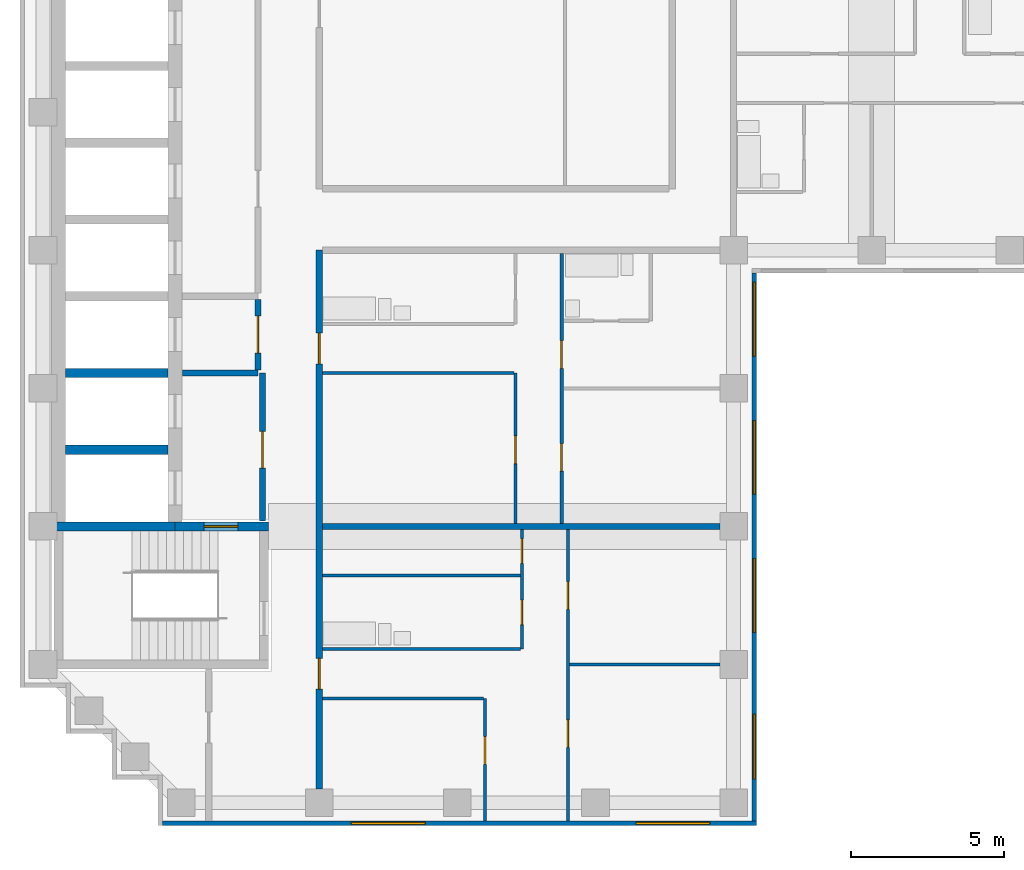
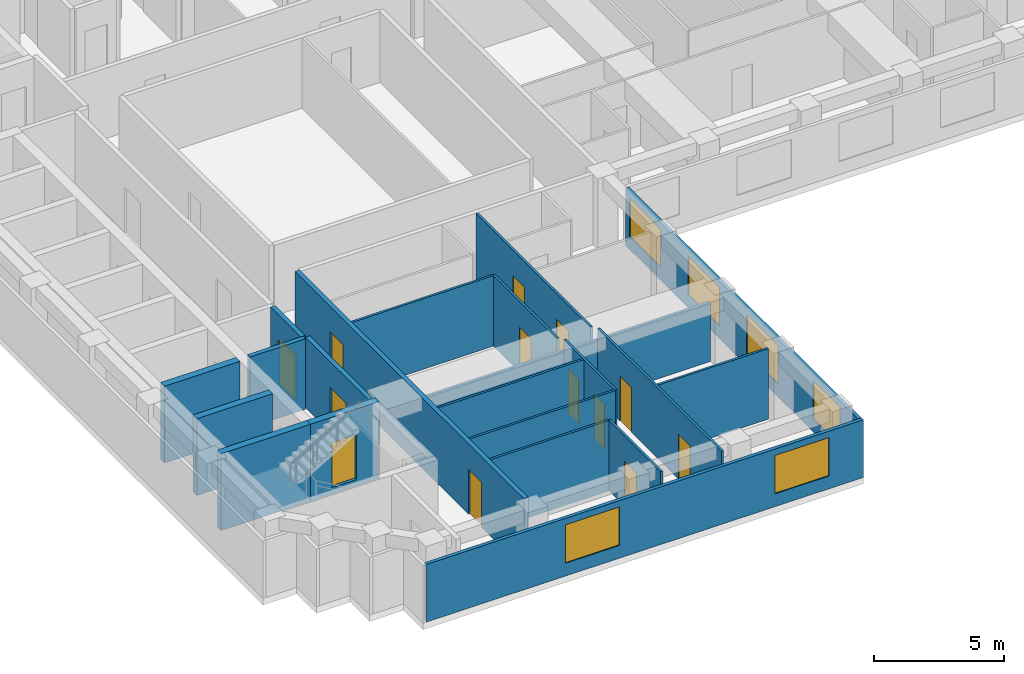
# One storey, part 2 of 9: 21 walls, 13 doors, 6 windows, 19 openings.
"""IFC4 building model written with IfcOpenShell, lengths in metres."""

from ifc_helpers import new_model, si_unit, direction, frame, frame_2d, origin, place, context, subcontext, project, spatial, rectangle, extrude, material, layer, layer_set, type_object, element, fill, save


model = new_model("IFC4")

# Units and contexts
model_context = context("Model", 3, precision=1e-05, world=origin(), true_north=direction((0.0, 1.0)))
body_context = subcontext(model_context, "Body", "Model", "MODEL_VIEW")
ifc_project = project(units=[si_unit("LENGTHUNIT", "METRE"), si_unit("AREAUNIT", "SQUARE_METRE"), si_unit("VOLUMEUNIT", "CUBIC_METRE"), si_unit("PLANEANGLEUNIT", "RADIAN"), si_unit("MASSUNIT", "GRAM", prefix="KILO")], contexts=[model_context])

# Site, building, storey
site_placement = place(None, origin())
site = spatial("IfcSite", under=ifc_project, at=site_placement, CompositionType="ELEMENT")
building_placement = place(site_placement, origin())
building = spatial("IfcBuilding", under=site, at=building_placement, Name="Firuza Court", CompositionType="ELEMENT")
storey_placement = place(building_placement, frame((0.0, 0.0, 225.800048828125)))
storey = spatial("IfcBuildingStorey", under=building, at=storey_placement, Name="L58", CompositionType="ELEMENT", Elevation=225.800048828125)

# Walls
ifc_material_1 = material(Name="Moisture-resistant gypsum board partition")
ifc_layer_1 = layer(ifc_material_1, 0.10009765625)
ifc_layer_set_1 = layer_set([ifc_layer_1], Name="Moisture-resistant gypsum board partition")
wall_type_1 = type_object("IfcWallType", Name="Bathroom partition 100", PredefinedType="PLUMBINGWALL", material=ifc_layer_set_1)
for number, where, z_axis, x_axis, name in (
    (1, (9.10009765625, 23.0, 0.0), (0.0, 0.0, 1.0), (1.0, 0.0, 0.0), "Bathroom partition 100 L58"),
    (2, (9.10009765625, 25.39990234375, 0.0), (0.0, 0.0, 1.0), (1.0, 0.0, 0.0), "Bathroom partition 100 L58"),
):
    element("IfcWall", number, at=place(storey_placement, frame(where, z_axis=z_axis, x_axis=x_axis)), inside=storey, type_object=wall_type_1, Name=name, PredefinedType="PLUMBINGWALL", context=body_context, shape_type="SweptSolid", body=[
        extrude(rectangle(XDim=6.449951171875, YDim=0.10009765625, at=frame_2d((3.22509765625, 0.0))), origin(), (0.0, 0.0, 1.0), 3.300048828125),
    ])
ifc_material_2 = material(Name="Concrete C50/60", Category="concrete")
ifc_layer_2 = layer(ifc_material_2, 0.300048828125)
ifc_layer_set_2 = layer_set([ifc_layer_2], Name="Concrete C50/60")
wall_type_2 = type_object("IfcWallType", Name="Core wall 300 C50/60", PredefinedType="SHEAR", material=ifc_layer_set_2)
wall_1_placement = place(storey_placement, frame((0.35009765625, 27.0, -0.300048828125), z_axis=(0.0, 0.0, 1.0), x_axis=(1.0, 0.0, 0.0)))
element("IfcWall", 3, at=wall_1_placement, inside=storey, type_object=wall_type_2, Name="Core wall lift shaft L58", PredefinedType="SHEAR", context=body_context, shape_type="SweptSolid", body=[
    extrude(rectangle(XDim=3.949951171875, YDim=0.300048828125, at=frame_2d((1.97509765625, 0.0))), origin(), (0.0, 0.0, 1.0), 3.60009765625),
])
for number, where, z_axis, x_axis, name in (
    (4, (0.72509765625, 29.5, -0.300048828125), (0.0, 0.0, 1.0), (1.0, 0.0, 0.0), "Core wall lift shaft L58"),
    (5, (0.72509765625, 32.0, -0.300048828125), (0.0, 0.0, 1.0), (1.0, 0.0, 0.0), "Core wall lift shaft L58"),
):
    element("IfcWall", number, at=place(storey_placement, frame(where, z_axis=z_axis, x_axis=x_axis)), inside=storey, type_object=wall_type_2, Name=name, PredefinedType="SHEAR", context=body_context, shape_type="SweptSolid", body=[
        extrude(rectangle(XDim=3.349853515625, YDim=0.300048828125, at=frame_2d((1.6748046875, 0.0))), origin(), (0.0, 0.0, 1.0), 3.60009765625),
    ])

# Wall, opening, door
wall_2_placement = place(storey_placement, frame((4.300048828125, 27.0, -0.300048828125), z_axis=(0.0, 0.0, 1.0), x_axis=(1.0, 0.0, 0.0)))
wall_2 = element("IfcWall", 6, at=wall_2_placement, inside=storey, type_object=wall_type_2, Name="Core wall stair L58", PredefinedType="SHEAR", context=body_context, shape_type="SweptSolid", body=[
    extrude(rectangle(XDim=3.050048828125, YDim=0.300048828125, at=frame_2d((1.52490234375, 0.0))), origin(), (0.0, 0.0, 1.0), 3.60009765625),
])
opening_1_placement = place(wall_2_placement, frame((0.949951171875, 0.0, 0.300048828125)))
opening_1 = element("IfcOpeningElement", 7, at=opening_1_placement, cuts=wall_2, Name="Opening D58010", PredefinedType="OPENING", context=body_context, shape_type="SweptSolid", body=[
    extrude(rectangle(XDim=1.10009765625, YDim=2.10009765625, at=frame_2d((0.550048828125, 1.050048828125))), frame((0.0, 0.162109375, 0.0), z_axis=(0.0, -1.0, 0.0), x_axis=(1.0, 0.0, 0.0)), (0.0, 0.0, 1.0), 0.323974609375),
])
ifc_material_3 = material(Name="Timber door leaf in hardwood frame", Category="wood")
door_type_1 = type_object("IfcDoorType", Name="Stair door 1100", OperationType="SINGLE_SWING_LEFT", PredefinedType="DOOR", material=ifc_material_3)
door_1_placement = place(opening_1_placement, frame((1.10009765625, 0.0, 0.0), z_axis=(0.0, 0.0, 1.0), x_axis=(-1.0, 0.0, 0.0)))
door_1 = element("IfcDoor", 8, at=door_1_placement, inside=storey, type_object=door_type_1, Name="Fire-fighting lobby door", OperationType="SINGLE_SWING_LEFT", OverallHeight=2.10009765625, OverallWidth=1.10009765625, PredefinedType="DOOR", context=body_context, shape_type="SweptSolid", body=[
    extrude(rectangle(XDim=1.10009765625, YDim=2.10009765625, at=frame_2d((0.550048828125, 1.050048828125))), frame((0.0, 0.02490234375, 0.0), z_axis=(0.0, -1.0, 0.0), x_axis=(1.0, 0.0, 0.0)), (0.0, 0.0, 1.0), 0.050048828125),
])
fill(opening_1, door_1)

# Wall, openings, doors
ifc_material_4 = material(Name="Blockwork, plastered both sides", Category="masonry")
ifc_layer_3 = layer(ifc_material_4, 0.199951171875)
ifc_layer_set_3 = layer_set([ifc_layer_3], Name="Blockwork, plastered both sides")
wall_type_3 = type_object("IfcWallType", Name="Corridor wall 200", PredefinedType="PARTITIONING", material=ifc_layer_set_3)
wall_3_placement = place(storey_placement, frame((9.0, 18.449951171875, 0.0), z_axis=(0.0, 0.0, 1.0), x_axis=(0.0, 1.0, 0.0)))
wall_3 = element("IfcWall", 9, at=wall_3_placement, inside=storey, type_object=wall_type_3, Name="Corridor wall 200 L58", PredefinedType="PARTITIONING", context=body_context, shape_type="SweptSolid", body=[
    extrude(rectangle(XDim=17.550048828125, YDim=0.199951171875, at=frame_2d((8.77490234375, 0.0))), origin(), (0.0, 0.0, 1.0), 3.300048828125),
])
opening_2_placement = place(wall_3_placement, frame((13.85009765625, 0.0, 0.0)))
opening_2 = element("IfcOpeningElement", 10, at=opening_2_placement, cuts=wall_3, Name="Opening D58017", PredefinedType="OPENING", context=body_context, shape_type="SweptSolid", body=[
    extrude(rectangle(XDim=1.0, YDim=2.10009765625, at=frame_2d((0.5, 1.050048828125))), frame((0.0, 0.11181640625, 0.0), z_axis=(0.0, -1.0, 0.0), x_axis=(1.0, 0.0, 0.0)), (0.0, 0.0, 1.0), 0.223876953125),
])
opening_3_placement = place(wall_3_placement, frame((3.25, 0.0, 0.0)))
opening_3 = element("IfcOpeningElement", 11, at=opening_3_placement, cuts=wall_3, Name="Opening D58018", PredefinedType="OPENING", context=body_context, shape_type="SweptSolid", body=[
    extrude(rectangle(XDim=1.0, YDim=2.10009765625, at=frame_2d((0.5, 1.050048828125))), frame((0.0, 0.11181640625, 0.0), z_axis=(0.0, -1.0, 0.0), x_axis=(1.0, 0.0, 0.0)), (0.0, 0.0, 1.0), 0.223876953125),
])
ifc_material_5 = material(Name="Timber door leaf in hardwood frame", Category="wood")
door_type_2 = type_object("IfcDoorType", Name="Flat entrance door 1000", OperationType="SINGLE_SWING_LEFT", PredefinedType="DOOR", material=ifc_material_5)
door_2_placement = place(opening_2_placement, origin())
door_2 = element("IfcDoor", 12, at=door_2_placement, inside=storey, type_object=door_type_2, Name="Flat entrance door", OperationType="SINGLE_SWING_LEFT", OverallHeight=2.10009765625, OverallWidth=1.0, PredefinedType="DOOR", context=body_context, shape_type="SweptSolid", body=[
    extrude(rectangle(XDim=1.0, YDim=2.10009765625, at=frame_2d((0.5, 1.050048828125))), frame((0.0, 0.02490234375, 0.0), z_axis=(0.0, -1.0, 0.0), x_axis=(1.0, 0.0, 0.0)), (0.0, 0.0, 1.0), 0.050048828125),
])
fill(opening_2, door_2)
door_3_placement = place(opening_3_placement, origin())
door_3 = element("IfcDoor", 13, at=door_3_placement, inside=storey, type_object=door_type_2, Name="Flat entrance door", OperationType="SINGLE_SWING_LEFT", OverallHeight=2.10009765625, OverallWidth=1.0, PredefinedType="DOOR", context=body_context, shape_type="SweptSolid", body=[
    extrude(rectangle(XDim=1.0, YDim=2.10009765625, at=frame_2d((0.5, 1.050048828125))), frame((0.0, 0.02490234375, 0.0), z_axis=(0.0, -1.0, 0.0), x_axis=(1.0, 0.0, 0.0)), (0.0, 0.0, 1.0), 0.050048828125),
])
fill(opening_3, door_3)

# Wall, opening, door
ifc_material_6 = material(Name="Timber stud partition, plasterboard both sides", Category="wood")
ifc_layer_4 = layer(ifc_material_6, 0.10009765625)
ifc_layer_set_4 = layer_set([ifc_layer_4], Name="Timber stud partition, plasterboard both sides")
wall_type_4 = type_object("IfcWallType", Name="Partition wall 100", PredefinedType="PARTITIONING", material=ifc_layer_set_4)
wall_4_placement = place(storey_placement, frame((14.39990234375, 17.39990234375, 0.0), z_axis=(0.0, 0.0, 1.0), x_axis=(0.0, 1.0, 0.0)))
wall_4 = element("IfcWall", 14, at=wall_4_placement, inside=storey, type_object=wall_type_4, Name="Partition wall 100 L58", PredefinedType="PARTITIONING", context=body_context, shape_type="SweptSolid", body=[
    extrude(rectangle(XDim=4.0, YDim=0.10009765625, at=frame_2d((2.0, 0.0))), origin(), (0.0, 0.0, 1.0), 3.300048828125),
])
opening_4_placement = place(wall_4_placement, frame((1.85009765625, 0.0, 0.0)))
opening_4 = element("IfcOpeningElement", 15, at=opening_4_placement, cuts=wall_4, Name="Opening D58014", PredefinedType="OPENING", context=body_context, shape_type="SweptSolid", body=[
    extrude(rectangle(XDim=0.89990234375, YDim=2.10009765625, at=frame_2d((0.449951171875, 1.050048828125))), frame((0.0, 0.06201171875, 0.0), z_axis=(0.0, -1.0, 0.0), x_axis=(1.0, 0.0, 0.0)), (0.0, 0.0, 1.0), 0.1240234375),
])
ifc_material_7 = material(Name="Timber door leaf in hardwood frame", Category="wood")
door_type_3 = type_object("IfcDoorType", Name="Room door 900", OperationType="SINGLE_SWING_LEFT", PredefinedType="DOOR", material=ifc_material_7)
door_4_placement = place(opening_4_placement, origin())
door_4 = element("IfcDoor", 16, at=door_4_placement, inside=storey, type_object=door_type_3, Name="Kitchen door", OperationType="SINGLE_SWING_RIGHT", OverallHeight=2.10009765625, OverallWidth=0.89990234375, PredefinedType="DOOR", context=body_context, shape_type="SweptSolid", body=[
    extrude(rectangle(XDim=0.89990234375, YDim=2.10009765625, at=frame_2d((0.449951171875, 1.050048828125))), frame((0.0, 0.02490234375, 0.0), z_axis=(0.0, -1.0, 0.0), x_axis=(1.0, 0.0, 0.0)), (0.0, 0.0, 1.0), 0.050048828125),
])
fill(opening_4, door_4)

# Wall, openings, doors
wall_5_placement = place(storey_placement, frame((17.10009765625, 17.39990234375, 0.0), z_axis=(0.0, 0.0, 1.0), x_axis=(0.0, 1.0, 0.0)))
wall_5 = element("IfcWall", 17, at=wall_5_placement, inside=storey, type_object=wall_type_4, Name="Partition wall 100 L58", PredefinedType="PARTITIONING", context=body_context, shape_type="SweptSolid", body=[
    extrude(rectangle(XDim=9.5, YDim=0.10009765625, at=frame_2d((4.75, 0.0))), origin(), (0.0, 0.0, 1.0), 3.300048828125),
])
opening_5_placement = place(wall_5_placement, frame((2.39990234375, 0.0, 0.0)))
opening_5 = element("IfcOpeningElement", 18, at=opening_5_placement, cuts=wall_5, Name="Opening D58015", PredefinedType="OPENING", context=body_context, shape_type="SweptSolid", body=[
    extrude(rectangle(XDim=0.89990234375, YDim=2.10009765625, at=frame_2d((0.449951171875, 1.050048828125))), frame((0.0, 0.06201171875, 0.0), z_axis=(0.0, -1.0, 0.0), x_axis=(1.0, 0.0, 0.0)), (0.0, 0.0, 1.0), 0.1240234375),
])
opening_6_placement = place(wall_5_placement, frame((6.89990234375, 0.0, 0.0)))
opening_6 = element("IfcOpeningElement", 19, at=opening_6_placement, cuts=wall_5, Name="Opening D58016", PredefinedType="OPENING", context=body_context, shape_type="SweptSolid", body=[
    extrude(rectangle(XDim=0.89990234375, YDim=2.10009765625, at=frame_2d((0.449951171875, 1.050048828125))), frame((0.0, 0.06201171875, 0.0), z_axis=(0.0, -1.0, 0.0), x_axis=(1.0, 0.0, 0.0)), (0.0, 0.0, 1.0), 0.1240234375),
])
door_5_placement = place(opening_5_placement, frame((0.89990234375, 0.0, 0.0), z_axis=(0.0, 0.0, 1.0), x_axis=(-1.0, 0.0, 0.0)))
door_5 = element("IfcDoor", 20, at=door_5_placement, inside=storey, type_object=door_type_3, Name="Living room door", OperationType="SINGLE_SWING_LEFT", OverallHeight=2.10009765625, OverallWidth=0.89990234375, PredefinedType="DOOR", context=body_context, shape_type="SweptSolid", body=[
    extrude(rectangle(XDim=0.89990234375, YDim=2.10009765625, at=frame_2d((0.449951171875, 1.050048828125))), frame((0.0, 0.02490234375, 0.0), z_axis=(0.0, -1.0, 0.0), x_axis=(1.0, 0.0, 0.0)), (0.0, 0.0, 1.0), 0.050048828125),
])
fill(opening_5, door_5)
door_6_placement = place(opening_6_placement, frame((0.89990234375, 0.0, 0.0), z_axis=(0.0, 0.0, 1.0), x_axis=(-1.0, 0.0, 0.0)))
door_6 = element("IfcDoor", 21, at=door_6_placement, inside=storey, type_object=door_type_3, Name="Bedroom door", OperationType="SINGLE_SWING_RIGHT", OverallHeight=2.10009765625, OverallWidth=0.89990234375, PredefinedType="DOOR", context=body_context, shape_type="SweptSolid", body=[
    extrude(rectangle(XDim=0.89990234375, YDim=2.10009765625, at=frame_2d((0.449951171875, 1.050048828125))), frame((0.0, 0.02490234375, 0.0), z_axis=(0.0, -1.0, 0.0), x_axis=(1.0, 0.0, 0.0)), (0.0, 0.0, 1.0), 0.050048828125),
])
fill(opening_6, door_6)

# Walls
wall_6_placement = place(storey_placement, frame((9.10009765625, 21.39990234375, 0.0), z_axis=(0.0, 0.0, 1.0), x_axis=(1.0, 0.0, 0.0)))
element("IfcWall", 22, at=wall_6_placement, inside=storey, type_object=wall_type_4, Name="Partition wall 100 L58", PredefinedType="PARTITIONING", context=body_context, shape_type="SweptSolid", body=[
    extrude(rectangle(XDim=5.25, YDim=0.10009765625, at=frame_2d((2.625, 0.0))), origin(), (0.0, 0.0, 1.0), 3.300048828125),
])
wall_7_placement = place(storey_placement, frame((17.14990234375, 22.5, 0.0), z_axis=(0.0, 0.0, 1.0), x_axis=(1.0, 0.0, 0.0)))
element("IfcWall", 23, at=wall_7_placement, inside=storey, type_object=wall_type_4, Name="Partition wall 100 L58", PredefinedType="PARTITIONING", context=body_context, shape_type="SweptSolid", body=[
    extrude(rectangle(XDim=4.900146484375, YDim=0.10009765625, at=frame_2d((2.4501953125, 0.0))), origin(), (0.0, 0.0, 1.0), 3.300048828125),
])

# Wall, openings, doors
wall_8_placement = place(storey_placement, frame((15.60009765625, 23.0, 0.0), z_axis=(0.0, 0.0, 1.0), x_axis=(0.0, 1.0, 0.0)))
wall_8 = element("IfcWall", 24, at=wall_8_placement, inside=storey, type_object=wall_type_4, Name="Partition wall 100 L58", PredefinedType="PARTITIONING", context=body_context, shape_type="SweptSolid", body=[
    extrude(rectangle(XDim=3.89990234375, YDim=0.10009765625, at=frame_2d((1.949951171875, 0.0))), origin(), (0.0, 0.0, 1.0), 3.300048828125),
])
opening_7_placement = place(wall_8_placement, frame((0.800048828125, 0.0, 0.0)))
opening_7 = element("IfcOpeningElement", 25, at=opening_7_placement, cuts=wall_8, Name="Opening D58019", PredefinedType="OPENING", context=body_context, shape_type="SweptSolid", body=[
    extrude(rectangle(XDim=0.800048828125, YDim=2.10009765625, at=frame_2d((0.39990234375, 1.050048828125))), frame((0.0, 0.06201171875, 0.0), z_axis=(0.0, -1.0, 0.0), x_axis=(1.0, 0.0, 0.0)), (0.0, 0.0, 1.0), 0.1240234375),
])
opening_8_placement = place(wall_8_placement, frame((2.800048828125, 0.0, 0.0)))
opening_8 = element("IfcOpeningElement", 26, at=opening_8_placement, cuts=wall_8, Name="Opening D58020", PredefinedType="OPENING", context=body_context, shape_type="SweptSolid", body=[
    extrude(rectangle(XDim=0.800048828125, YDim=2.10009765625, at=frame_2d((0.39990234375, 1.050048828125))), frame((0.0, 0.06201171875, 0.0), z_axis=(0.0, -1.0, 0.0), x_axis=(1.0, 0.0, 0.0)), (0.0, 0.0, 1.0), 0.1240234375),
])
ifc_material_8 = material(Name="Timber door leaf in hardwood frame", Category="wood")
door_type_4 = type_object("IfcDoorType", Name="Bathroom door 800", OperationType="SINGLE_SWING_LEFT", PredefinedType="DOOR", material=ifc_material_8)
door_7_placement = place(opening_7_placement, origin())
door_7 = element("IfcDoor", 27, at=door_7_placement, inside=storey, type_object=door_type_4, Name="Bathroom door", OperationType="SINGLE_SWING_LEFT", OverallHeight=2.10009765625, OverallWidth=0.800048828125, PredefinedType="DOOR", context=body_context, shape_type="SweptSolid", body=[
    extrude(rectangle(XDim=0.800048828125, YDim=2.10009765625, at=frame_2d((0.39990234375, 1.050048828125))), frame((0.0, 0.02490234375, 0.0), z_axis=(0.0, -1.0, 0.0), x_axis=(1.0, 0.0, 0.0)), (0.0, 0.0, 1.0), 0.050048828125),
])
fill(opening_7, door_7)
ifc_material_9 = material(Name="Timber door leaf in hardwood frame", Category="wood")
door_type_5 = type_object("IfcDoorType", Name="Room door 800", OperationType="SINGLE_SWING_LEFT", PredefinedType="DOOR", material=ifc_material_9)
door_8_placement = place(opening_8_placement, origin())
door_8 = element("IfcDoor", 28, at=door_8_placement, inside=storey, type_object=door_type_5, Name="Store door", OperationType="SINGLE_SWING_LEFT", OverallHeight=2.10009765625, OverallWidth=0.800048828125, PredefinedType="DOOR", context=body_context, shape_type="SweptSolid", body=[
    extrude(rectangle(XDim=0.800048828125, YDim=2.10009765625, at=frame_2d((0.39990234375, 1.050048828125))), frame((0.0, 0.02490234375, 0.0), z_axis=(0.0, -1.0, 0.0), x_axis=(1.0, 0.0, 0.0)), (0.0, 0.0, 1.0), 0.050048828125),
])
fill(opening_8, door_8)

# Wall, opening, door
wall_9_placement = place(storey_placement, frame((15.39990234375, 27.10009765625, 0.0), z_axis=(0.0, 0.0, 1.0), x_axis=(0.0, 1.0, 0.0)))
wall_9 = element("IfcWall", 29, at=wall_9_placement, inside=storey, type_object=wall_type_4, Name="Partition wall 100 L58", PredefinedType="PARTITIONING", context=body_context, shape_type="SweptSolid", body=[
    extrude(rectangle(XDim=4.89990234375, YDim=0.10009765625, at=frame_2d((2.449951171875, 0.0))), origin(), (0.0, 0.0, 1.0), 3.300048828125),
])
opening_9_placement = place(wall_9_placement, frame((1.949951171875, 0.0, 0.0)))
opening_9 = element("IfcOpeningElement", 30, at=opening_9_placement, cuts=wall_9, Name="Opening D58021", PredefinedType="OPENING", context=body_context, shape_type="SweptSolid", body=[
    extrude(rectangle(XDim=0.89990234375, YDim=2.10009765625, at=frame_2d((0.449951171875, 1.050048828125))), frame((0.0, 0.06201171875, 0.0), z_axis=(0.0, -1.0, 0.0), x_axis=(1.0, 0.0, 0.0)), (0.0, 0.0, 1.0), 0.1240234375),
])
door_9_placement = place(opening_9_placement, origin())
door_9 = element("IfcDoor", 31, at=door_9_placement, inside=storey, type_object=door_type_3, Name="Kitchen door", OperationType="SINGLE_SWING_LEFT", OverallHeight=2.10009765625, OverallWidth=0.89990234375, PredefinedType="DOOR", context=body_context, shape_type="SweptSolid", body=[
    extrude(rectangle(XDim=0.89990234375, YDim=2.10009765625, at=frame_2d((0.449951171875, 1.050048828125))), frame((0.0, 0.02490234375, 0.0), z_axis=(0.0, -1.0, 0.0), x_axis=(1.0, 0.0, 0.0)), (0.0, 0.0, 1.0), 0.050048828125),
])
fill(opening_9, door_9)

# Wall, openings, doors
wall_10_placement = place(storey_placement, frame((16.89990234375, 27.10009765625, 0.0), z_axis=(0.0, 0.0, 1.0), x_axis=(0.0, 1.0, 0.0)))
wall_10 = element("IfcWall", 32, at=wall_10_placement, inside=storey, type_object=wall_type_4, Name="Partition wall 100 L58", PredefinedType="PARTITIONING", context=body_context, shape_type="SweptSolid", body=[
    extrude(rectangle(XDim=8.7998046875, YDim=0.10009765625, at=frame_2d((4.39990234375, 0.0))), origin(), (0.0, 0.0, 1.0), 3.300048828125),
])
opening_10_placement = place(wall_10_placement, frame((1.699951171875, 0.0, 0.0)))
opening_10 = element("IfcOpeningElement", 33, at=opening_10_placement, cuts=wall_10, Name="Opening D58022", PredefinedType="OPENING", context=body_context, shape_type="SweptSolid", body=[
    extrude(rectangle(XDim=0.89990234375, YDim=2.10009765625, at=frame_2d((0.449951171875, 1.050048828125))), frame((0.0, 0.06201171875, 0.0), z_axis=(0.0, -1.0, 0.0), x_axis=(1.0, 0.0, 0.0)), (0.0, 0.0, 1.0), 0.1240234375),
])
opening_11_placement = place(wall_10_placement, frame((5.050048828125, 0.0, 0.0)))
opening_11 = element("IfcOpeningElement", 34, at=opening_11_placement, cuts=wall_10, Name="Opening D58023", PredefinedType="OPENING", context=body_context, shape_type="SweptSolid", body=[
    extrude(rectangle(XDim=0.89990234375, YDim=2.10009765625, at=frame_2d((0.449951171875, 1.050048828125))), frame((0.0, 0.06201171875, 0.0), z_axis=(0.0, -1.0, 0.0), x_axis=(1.0, 0.0, 0.0)), (0.0, 0.0, 1.0), 0.1240234375),
])
door_10_placement = place(opening_10_placement, frame((0.89990234375, 0.0, 0.0), z_axis=(0.0, 0.0, 1.0), x_axis=(-1.0, 0.0, 0.0)))
door_10 = element("IfcDoor", 35, at=door_10_placement, inside=storey, type_object=door_type_3, Name="Living room door", OperationType="SINGLE_SWING_RIGHT", OverallHeight=2.10009765625, OverallWidth=0.89990234375, PredefinedType="DOOR", context=body_context, shape_type="SweptSolid", body=[
    extrude(rectangle(XDim=0.89990234375, YDim=2.10009765625, at=frame_2d((0.449951171875, 1.050048828125))), frame((0.0, 0.02490234375, 0.0), z_axis=(0.0, -1.0, 0.0), x_axis=(1.0, 0.0, 0.0)), (0.0, 0.0, 1.0), 0.050048828125),
])
fill(opening_10, door_10)
door_11_placement = place(opening_11_placement, frame((0.89990234375, 0.0, 0.0), z_axis=(0.0, 0.0, 1.0), x_axis=(-1.0, 0.0, 0.0)))
door_11 = element("IfcDoor", 36, at=door_11_placement, inside=storey, type_object=door_type_3, Name="Bedroom door", OperationType="SINGLE_SWING_RIGHT", OverallHeight=2.10009765625, OverallWidth=0.89990234375, PredefinedType="DOOR", context=body_context, shape_type="SweptSolid", body=[
    extrude(rectangle(XDim=0.89990234375, YDim=2.10009765625, at=frame_2d((0.449951171875, 1.050048828125))), frame((0.0, 0.02490234375, 0.0), z_axis=(0.0, -1.0, 0.0), x_axis=(1.0, 0.0, 0.0)), (0.0, 0.0, 1.0), 0.050048828125),
])
fill(opening_11, door_11)

# Walls
wall_11_placement = place(storey_placement, frame((9.10009765625, 32.0, 0.0), z_axis=(0.0, 0.0, 1.0), x_axis=(1.0, 0.0, 0.0)))
element("IfcWall", 37, at=wall_11_placement, inside=storey, type_object=wall_type_4, Name="Partition wall 100 L58", PredefinedType="PARTITIONING", context=body_context, shape_type="SweptSolid", body=[
    extrude(rectangle(XDim=6.25, YDim=0.10009765625, at=frame_2d((3.125, 0.0))), origin(), (0.0, 0.0, 1.0), 3.300048828125),
])
ifc_layer_5 = layer(ifc_material_4, 0.199951171875)
ifc_layer_set_5 = layer_set([ifc_layer_5], Name="Blockwork, plastered both sides")
wall_type_5 = type_object("IfcWallType", Name="Party wall 200", PredefinedType="PARTITIONING", material=ifc_layer_set_5)
wall_12_placement = place(storey_placement, frame((9.10009765625, 27.0, 0.0), z_axis=(0.0, 0.0, 1.0), x_axis=(1.0, 0.0, 0.0)))
element("IfcWall", 38, at=wall_12_placement, inside=storey, type_object=wall_type_5, Name="Party wall 200 L58", PredefinedType="PARTITIONING", context=body_context, shape_type="SweptSolid", body=[
    extrude(rectangle(XDim=12.949951171875, YDim=0.199951171875, at=frame_2d((6.47509765625, 0.0))), origin(), (0.0, 0.0, 1.0), 2.699951171875),
])

# Wall, openings, windows
ifc_material_10 = material(Name="Ceramic tile", Category="ceramic")
ifc_layer_6 = layer(ifc_material_10, 0.02001953125)
ifc_material_11 = material(Name="Mineral wool insulation", Category="insulation")
ifc_layer_7 = layer(ifc_material_11, 0.050048828125)
ifc_material_12 = material(Name="Concrete C40/50 precast", Category="concrete")
ifc_layer_8 = layer(ifc_material_12, 0.080078125)
ifc_layer_set_6 = layer_set([ifc_layer_6, ifc_layer_7, ifc_layer_8], Name="Concrete C40/50 precast")
wall_type_6 = type_object("IfcWallType", Name="Precast cladding wall with turquoise TILE PANEL face 150", PredefinedType="STANDARD", material=ifc_layer_set_6)
wall_13_placement = place(storey_placement, frame((3.89990234375, 17.324951171875, 0.0), z_axis=(0.0, 0.0, 1.0), x_axis=(1.0, 0.0, 0.0)))
wall_13 = element("IfcWall", 39, at=wall_13_placement, inside=storey, type_object=wall_type_6, Name="Facade wall L58 S", PredefinedType="STANDARD", context=body_context, shape_type="SweptSolid", body=[
    extrude(rectangle(XDim=19.35009765625, YDim=0.14990234375, at=frame_2d((9.675048828125, 0.0))), origin(), (0.0, 0.0, 1.0), 2.699951171875),
])
opening_12_placement = place(wall_13_placement, frame((6.14990234375, 0.0, 0.60009765625)))
opening_12 = element("IfcOpeningElement", 40, at=opening_12_placement, cuts=wall_13, Name="Opening W1", PredefinedType="OPENING", context=body_context, shape_type="SweptSolid", body=[
    extrude(rectangle(XDim=2.39990234375, YDim=1.800048828125, at=frame_2d((1.199951171875, 0.89990234375))), frame((0.0, 0.0869140625, 0.0), z_axis=(0.0, -1.0, 0.0), x_axis=(1.0, 0.0, 0.0)), (0.0, 0.0, 1.0), 0.173828125),
])
opening_13_placement = place(wall_13_placement, frame((15.4228515625, 0.0, 0.60009765625)))
opening_13 = element("IfcOpeningElement", 41, at=opening_13_placement, cuts=wall_13, Name="Opening W1", PredefinedType="OPENING", context=body_context, shape_type="SweptSolid", body=[
    extrude(rectangle(XDim=2.39990234375, YDim=1.800048828125, at=frame_2d((1.199951171875, 0.89990234375))), frame((0.0, 0.0869140625, 0.0), z_axis=(0.0, -1.0, 0.0), x_axis=(1.0, 0.0, 0.0)), (0.0, 0.0, 1.0), 0.173828125),
])
ifc_material_13 = material(Name="Aluminium frame, triple clear glazing", Category="aluminium")
window_type_1 = type_object("IfcWindowType", Name="Window W1 2400 x 1800", PartitioningType="SINGLE_PANEL", PredefinedType="WINDOW", material=ifc_material_13)
window_1_placement = place(opening_12_placement, origin())
window_1 = element("IfcWindow", 42, at=window_1_placement, inside=storey, type_object=window_type_1, Name="Window L58", OverallHeight=1.800048828125, OverallWidth=2.39990234375, PartitioningType="SINGLE_PANEL", PredefinedType="WINDOW", context=body_context, shape_type="SweptSolid", body=[
    extrude(rectangle(XDim=2.39990234375, YDim=1.800048828125, at=frame_2d((1.199951171875, 0.89990234375))), frame((0.0, 0.030029296875, 0.0), z_axis=(0.0, -1.0, 0.0), x_axis=(1.0, 0.0, 0.0)), (0.0, 0.0, 1.0), 0.06005859375),
])
fill(opening_12, window_1)
window_2_placement = place(opening_13_placement, origin())
window_2 = element("IfcWindow", 43, at=window_2_placement, inside=storey, type_object=window_type_1, Name="Window L58", OverallHeight=1.800048828125, OverallWidth=2.39990234375, PartitioningType="SINGLE_PANEL", PredefinedType="WINDOW", context=body_context, shape_type="SweptSolid", body=[
    extrude(rectangle(XDim=2.39990234375, YDim=1.800048828125, at=frame_2d((1.199951171875, 0.89990234375))), frame((0.0, 0.030029296875, 0.0), z_axis=(0.0, -1.0, 0.0), x_axis=(1.0, 0.0, 0.0)), (0.0, 0.0, 1.0), 0.06005859375),
])
fill(opening_13, window_2)

wall_14_placement = place(storey_placement, frame((23.175048828125, 17.39990234375, 0.0), z_axis=(0.0, 0.0, 1.0), x_axis=(0.0, 1.0, 0.0)))
wall_14 = element("IfcWall", 44, at=wall_14_placement, inside=storey, type_object=wall_type_6, Name="Facade wall L58 E", PredefinedType="STANDARD", context=body_context, shape_type="SweptSolid", body=[
    extrude(rectangle(XDim=17.85009765625, YDim=0.14990234375, at=frame_2d((8.925048828125, 0.0))), origin(), (0.0, 0.0, 1.0), 2.699951171875),
])
opening_14_placement = place(wall_14_placement, frame((1.37744140625, 0.0, 0.60009765625)))
opening_14 = element("IfcOpeningElement", 45, at=opening_14_placement, cuts=wall_14, Name="Opening W6", PredefinedType="OPENING", context=body_context, shape_type="SweptSolid", body=[
    extrude(rectangle(XDim=2.10009765625, YDim=1.800048828125, at=frame_2d((1.050048828125, 0.89990234375))), frame((0.0, 0.0869140625, 0.0), z_axis=(0.0, -1.0, 0.0), x_axis=(1.0, 0.0, 0.0)), (0.0, 0.0, 1.0), 0.173828125),
])
opening_15_placement = place(wall_14_placement, frame((6.14990234375, 0.0, 0.60009765625)))
opening_15 = element("IfcOpeningElement", 46, at=opening_15_placement, cuts=wall_14, Name="Opening W1", PredefinedType="OPENING", context=body_context, shape_type="SweptSolid", body=[
    extrude(rectangle(XDim=2.39990234375, YDim=1.800048828125, at=frame_2d((1.199951171875, 0.89990234375))), frame((0.0, 0.0869140625, 0.0), z_axis=(0.0, -1.0, 0.0), x_axis=(1.0, 0.0, 0.0)), (0.0, 0.0, 1.0), 0.173828125),
])
opening_16_placement = place(wall_14_placement, frame((10.64990234375, 0.0, 0.60009765625)))
opening_16 = element("IfcOpeningElement", 47, at=opening_16_placement, cuts=wall_14, Name="Opening W1", PredefinedType="OPENING", context=body_context, shape_type="SweptSolid", body=[
    extrude(rectangle(XDim=2.39990234375, YDim=1.800048828125, at=frame_2d((1.199951171875, 0.89990234375))), frame((0.0, 0.0869140625, 0.0), z_axis=(0.0, -1.0, 0.0), x_axis=(1.0, 0.0, 0.0)), (0.0, 0.0, 1.0), 0.173828125),
])
opening_17_placement = place(wall_14_placement, frame((15.14990234375, 0.0, 0.60009765625)))
opening_17 = element("IfcOpeningElement", 48, at=opening_17_placement, cuts=wall_14, Name="Opening W1", PredefinedType="OPENING", context=body_context, shape_type="SweptSolid", body=[
    extrude(rectangle(XDim=2.39990234375, YDim=1.800048828125, at=frame_2d((1.199951171875, 0.89990234375))), frame((0.0, 0.0869140625, 0.0), z_axis=(0.0, -1.0, 0.0), x_axis=(1.0, 0.0, 0.0)), (0.0, 0.0, 1.0), 0.173828125),
])
window_3_placement = place(opening_15_placement, origin())
window_3 = element("IfcWindow", 49, at=window_3_placement, inside=storey, type_object=window_type_1, Name="Window L58", OverallHeight=1.800048828125, OverallWidth=2.39990234375, PartitioningType="SINGLE_PANEL", PredefinedType="WINDOW", context=body_context, shape_type="SweptSolid", body=[
    extrude(rectangle(XDim=2.39990234375, YDim=1.800048828125, at=frame_2d((1.199951171875, 0.89990234375))), frame((0.0, 0.030029296875, 0.0), z_axis=(0.0, -1.0, 0.0), x_axis=(1.0, 0.0, 0.0)), (0.0, 0.0, 1.0), 0.06005859375),
])
fill(opening_15, window_3)
window_4_placement = place(opening_16_placement, origin())
window_4 = element("IfcWindow", 50, at=window_4_placement, inside=storey, type_object=window_type_1, Name="Window L58", OverallHeight=1.800048828125, OverallWidth=2.39990234375, PartitioningType="SINGLE_PANEL", PredefinedType="WINDOW", context=body_context, shape_type="SweptSolid", body=[
    extrude(rectangle(XDim=2.39990234375, YDim=1.800048828125, at=frame_2d((1.199951171875, 0.89990234375))), frame((0.0, 0.030029296875, 0.0), z_axis=(0.0, -1.0, 0.0), x_axis=(1.0, 0.0, 0.0)), (0.0, 0.0, 1.0), 0.06005859375),
])
fill(opening_16, window_4)
window_5_placement = place(opening_17_placement, origin())
window_5 = element("IfcWindow", 51, at=window_5_placement, inside=storey, type_object=window_type_1, Name="Window L58", OverallHeight=1.800048828125, OverallWidth=2.39990234375, PartitioningType="SINGLE_PANEL", PredefinedType="WINDOW", context=body_context, shape_type="SweptSolid", body=[
    extrude(rectangle(XDim=2.39990234375, YDim=1.800048828125, at=frame_2d((1.199951171875, 0.89990234375))), frame((0.0, 0.030029296875, 0.0), z_axis=(0.0, -1.0, 0.0), x_axis=(1.0, 0.0, 0.0)), (0.0, 0.0, 1.0), 0.06005859375),
])
fill(opening_17, window_5)
ifc_material_14 = material(Name="Aluminium frame, triple clear glazing", Category="aluminium")
window_type_2 = type_object("IfcWindowType", Name="Window W6 2100 x 1800", PartitioningType="SINGLE_PANEL", PredefinedType="WINDOW", material=ifc_material_14)
window_6_placement = place(opening_14_placement, origin())
window_6 = element("IfcWindow", 52, at=window_6_placement, inside=storey, type_object=window_type_2, Name="Window L58", OverallHeight=1.800048828125, OverallWidth=2.10009765625, PartitioningType="SINGLE_PANEL", PredefinedType="WINDOW", context=body_context, shape_type="SweptSolid", body=[
    extrude(rectangle(XDim=2.10009765625, YDim=1.800048828125, at=frame_2d((1.050048828125, 0.89990234375))), frame((0.0, 0.030029296875, 0.0), z_axis=(0.0, -1.0, 0.0), x_axis=(1.0, 0.0, 0.0)), (0.0, 0.0, 1.0), 0.06005859375),
])
fill(opening_14, window_6)

# Wall
ifc_material_15 = material(Name="Blockwork, fire-rated", Category="masonry")
ifc_layer_9 = layer(ifc_material_15, 0.199951171875)
ifc_layer_set_7 = layer_set([ifc_layer_9], Name="Blockwork, fire-rated")
wall_type_7 = type_object("IfcWallType", Name="Shaft wall 200", PredefinedType="PARTITIONING", material=ifc_layer_set_7)
wall_15_placement = place(storey_placement, frame((4.544921875, 32.0, 0.0), z_axis=(0.0, 0.0, 1.0), x_axis=(1.0, 0.0, 0.0)))
element("IfcWall", 53, at=wall_15_placement, inside=storey, type_object=wall_type_7, Name="Shaft wall 200 L58", PredefinedType="PARTITIONING", context=body_context, shape_type="SweptSolid", body=[
    extrude(rectangle(XDim=2.455078125, YDim=0.199951171875, at=frame_2d((1.2275390625, 0.0))), origin(), (0.0, 0.0, 1.0), 3.300048828125),
])

# Wall, opening, door
wall_16_placement = place(storey_placement, frame((7.0, 32.10009765625, 0.0), z_axis=(0.0, 0.0, 1.0), x_axis=(0.0, 1.0, 0.0)))
wall_16 = element("IfcWall", 54, at=wall_16_placement, inside=storey, type_object=wall_type_7, Name="Shaft wall 200 L58", PredefinedType="PARTITIONING", context=body_context, shape_type="SweptSolid", body=[
    extrude(rectangle(XDim=2.2998046875, YDim=0.199951171875, at=frame_2d((1.14990234375, 0.0))), origin(), (0.0, 0.0, 1.0), 3.300048828125),
])
opening_18_placement = place(wall_16_placement, frame((0.550048828125, 0.0, 0.0)))
opening_18 = element("IfcOpeningElement", 55, at=opening_18_placement, cuts=wall_16, Name="Opening D58007", PredefinedType="OPENING", context=body_context, shape_type="SweptSolid", body=[
    extrude(rectangle(XDim=1.199951171875, YDim=2.10009765625, at=frame_2d((0.60009765625, 1.050048828125))), frame((0.0, 0.11181640625, 0.0), z_axis=(0.0, -1.0, 0.0), x_axis=(1.0, 0.0, 0.0)), (0.0, 0.0, 1.0), 0.223876953125),
])
ifc_material_16 = material(Name="Timber door leaf in hardwood frame", Category="wood")
door_type_6 = type_object("IfcDoorType", Name="Lobby door 1200", OperationType="SINGLE_SWING_LEFT", PredefinedType="DOOR", material=ifc_material_16)
door_12_placement = place(opening_18_placement, origin())
door_12 = element("IfcDoor", 56, at=door_12_placement, inside=storey, type_object=door_type_6, Name="Lobby door", OperationType="SINGLE_SWING_LEFT", OverallHeight=2.10009765625, OverallWidth=1.199951171875, PredefinedType="DOOR", context=body_context, shape_type="SweptSolid", body=[
    extrude(rectangle(XDim=1.199951171875, YDim=2.10009765625, at=frame_2d((0.60009765625, 1.050048828125))), frame((0.0, 0.02490234375, 0.0), z_axis=(0.0, -1.0, 0.0), x_axis=(1.0, 0.0, 0.0)), (0.0, 0.0, 1.0), 0.050048828125),
])
fill(opening_18, door_12)

wall_17_placement = place(storey_placement, frame((7.14990234375, 27.169921875, 0.0), z_axis=(0.0, 0.0, 1.0), x_axis=(0.0, 1.0, 0.0)))
wall_17 = element("IfcWall", 57, at=wall_17_placement, inside=storey, type_object=wall_type_7, Name="Shaft wall 200 L58", PredefinedType="PARTITIONING", context=body_context, shape_type="SweptSolid", body=[
    extrude(rectangle(XDim=4.830078125, YDim=0.199951171875, at=frame_2d((2.4150390625, 0.0))), origin(), (0.0, 0.0, 1.0), 3.300048828125),
])
opening_19_placement = place(wall_17_placement, frame((1.72998046875, 0.0, 0.0)))
opening_19 = element("IfcOpeningElement", 58, at=opening_19_placement, cuts=wall_17, Name="Opening D58002", PredefinedType="OPENING", context=body_context, shape_type="SweptSolid", body=[
    extrude(rectangle(XDim=1.199951171875, YDim=2.10009765625, at=frame_2d((0.60009765625, 1.050048828125))), frame((0.0, 0.11181640625, 0.0), z_axis=(0.0, -1.0, 0.0), x_axis=(1.0, 0.0, 0.0)), (0.0, 0.0, 1.0), 0.223876953125),
])
door_13_placement = place(opening_19_placement, origin())
door_13 = element("IfcDoor", 59, at=door_13_placement, inside=storey, type_object=door_type_6, Name="Fire-fighting lobby door", OperationType="SINGLE_SWING_LEFT", OverallHeight=2.10009765625, OverallWidth=1.199951171875, PredefinedType="DOOR", context=body_context, shape_type="SweptSolid", body=[
    extrude(rectangle(XDim=1.199951171875, YDim=2.10009765625, at=frame_2d((0.60009765625, 1.050048828125))), frame((0.0, 0.02490234375, 0.0), z_axis=(0.0, -1.0, 0.0), x_axis=(1.0, 0.0, 0.0)), (0.0, 0.0, 1.0), 0.050048828125),
])
fill(opening_19, door_13)

save(model, "model.ifc")
